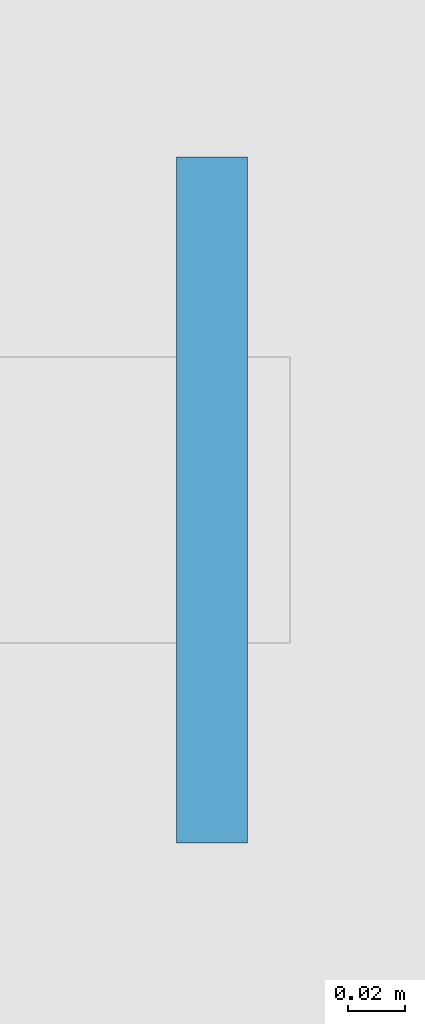
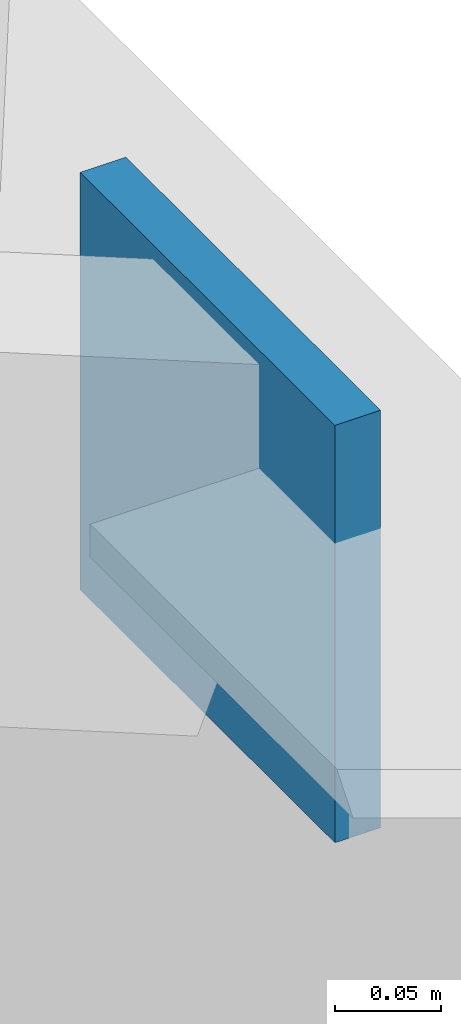
# One storey, part 48 of 74: 1 plate.
"""IFC4 building model written with IfcOpenShell, lengths in metres."""

from ifc_helpers import new_model, si_unit, direction, frame, origin, origin_2d, place, context, subcontext, project, spatial, rectangle, extrude, material, layer, layer_set, type_object, element, save


model = new_model("IFC4")

# Units and contexts
model_context = context("Model", 3, precision=1e-05, world=origin(), true_north=direction((0.0, 1.0)))
body_context = subcontext(model_context, "Body", "Model", "MODEL_VIEW")
ifc_project = project(units=[si_unit("LENGTHUNIT", "METRE"), si_unit("AREAUNIT", "SQUARE_METRE"), si_unit("VOLUMEUNIT", "CUBIC_METRE"), si_unit("PLANEANGLEUNIT", "RADIAN"), si_unit("MASSUNIT", "GRAM", prefix="KILO")], contexts=[model_context])

# Site, building, storey
site_placement = place(None, origin())
site = spatial("IfcSite", under=ifc_project, at=site_placement, CompositionType="ELEMENT")
building_placement = place(site_placement, origin())
building = spatial("IfcBuilding", under=site, at=building_placement, Name="Siltcreek Boulevard Central Fire Station", CompositionType="ELEMENT")
storey_placement = place(building_placement, frame((0.0, 0.0, 25.199951171875)))
storey = spatial("IfcBuildingStorey", under=building, at=storey_placement, Name="RF", CompositionType="ELEMENT", Elevation=25.199951171875)

# Plate
ifc_material = material(Name="Structural steel ASTM A572 Gr50", Category="steel")
ifc_layer = layer(ifc_material, 0.02490234375, Name="Structural steel ASTM A572 Gr50")
ifc_layer_set = layer_set([ifc_layer], Name="Structural steel ASTM A572 Gr50")
plate_type = type_object("IfcPlateType", Name="PL_CAP25", PredefinedType="USERDEFINED", material=ifc_layer_set)
plate_placement = place(storey_placement, frame((37.7998046875, 51.281982421875, -13.88916015625), z_axis=(0.0, 0.0, 1.0), x_axis=(1.0, 0.0, 0.0)))
element("IfcPlate", 1, at=plate_placement, inside=storey, type_object=plate_type, Name="Sloped roof purlin PR-0267 sealed end cap 2", ObjectType="END CAP", PredefinedType="USERDEFINED", context=body_context, shape_type="SweptSolid", body=[
    extrude(rectangle(XDim=0.02490234375, YDim=0.239990234375, at=origin_2d()), origin(), (0.0, 0.0, 1.0), 0.239990234375),
])

save(model, "model.ifc")
